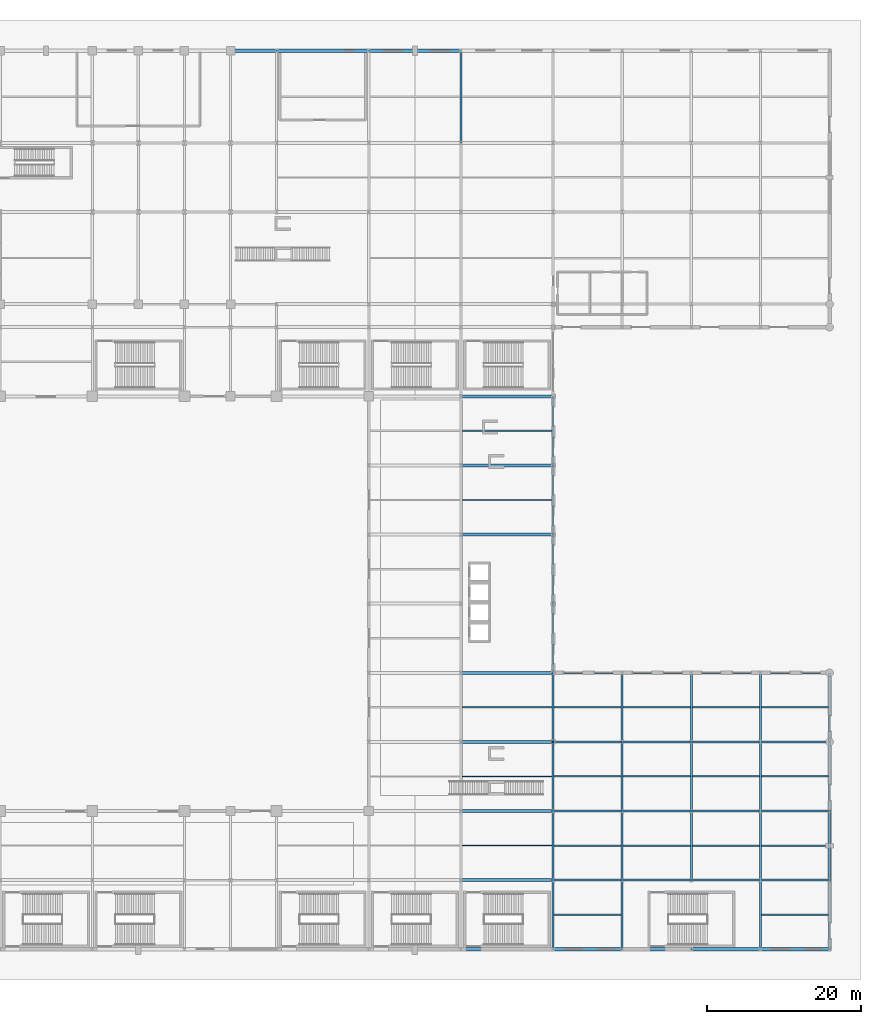
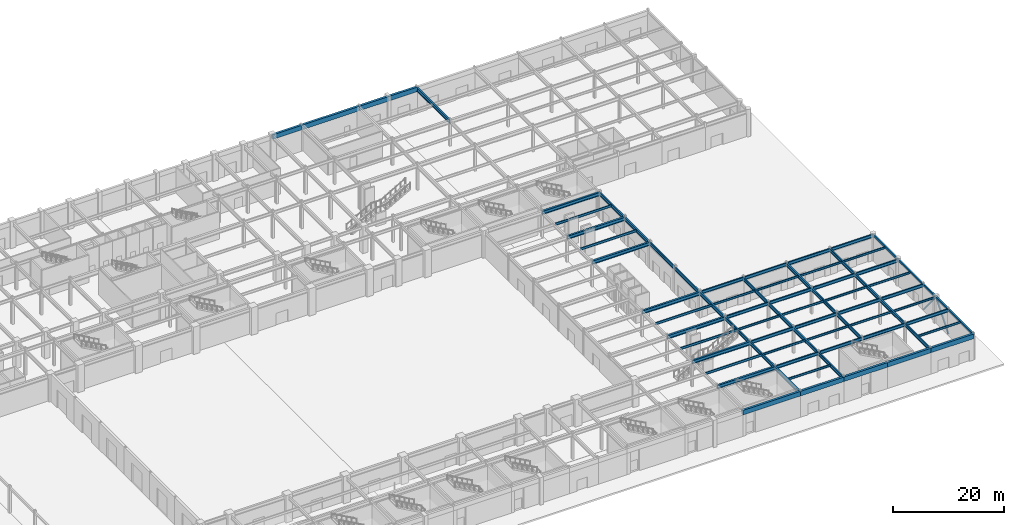
# One storey, part 16 of 44: 74 beams, 2 members.
"""IFC4 building model written with IfcOpenShell, lengths in metres."""

import ifcopenshell
import ifcopenshell.guid

model = None  # the IFC model being written
_history = None  # IfcOwnerHistory: only IFC2X3 demands one
_inside = {}  # id of a spatial element -> (the spatial element, [elements in it])
_under = {}  # id of a project, library or spatial element -> (it, [spatial elements below it])
_declared = {}  # id of a project -> (the project, [libraries it declares])
_typed = {}  # id of a type object -> (the type object, [elements of that type])
_made_of = {}  # id of a material, layer set ... -> (it, [elements and type objects made of it])


def new_model(schema):
    """Start an empty IFC model of exactly this schema.

    Asked for "IFC4X3", IfcOpenShell would pick the latest addendum, in which some entities
    have other attributes; the version numbers below select the first issue.
    IFC2X3 requires an IfcOwnerHistory on every rooted entity: one is made here for all.
    """
    global model, _history
    if schema == "IFC4X3":
        model = ifcopenshell.file(schema_version=(4, 3, 0, 0))
    else:
        model = ifcopenshell.file(schema=schema)
    _inside.clear()
    _under.clear()
    _declared.clear()
    _typed.clear()
    _made_of.clear()
    _history = None
    if model.schema == "IFC2X3":
        org = make("IfcOrganization", Name="unknown")
        user = make(
            "IfcPersonAndOrganization",
            ThePerson=make("IfcPerson", FamilyName="unknown"),
            TheOrganization=org,
        )
        app = make(
            "IfcApplication",
            ApplicationDeveloper=org,
            Version="unknown",
            ApplicationFullName="unknown",
            ApplicationIdentifier="unknown",
        )
        _history = make(
            "IfcOwnerHistory",
            OwningUser=user,
            OwningApplication=app,
            ChangeAction="ADDED",
            CreationDate=0,
        )
    return model


def make(cls, **values):
    """One entity of the class cls with the attributes given. An attribute that is None is left unset."""
    return model.create_entity(
        cls, **{name: value for name, value in values.items() if value is not None}
    )


def rooted(cls, **values):
    """An entity with a GlobalId (a new one), such as an element, a storey or a relation."""
    return make(cls, GlobalId=ifcopenshell.guid.new(), OwnerHistory=_history, **values)


def si_unit(unit_type, name, prefix=None):
    """IfcSIUnit, for example si_unit("LENGTHUNIT", "METRE", prefix="MILLI")."""
    return make("IfcSIUnit", UnitType=unit_type, Prefix=prefix, Name=name)


def assignment(units):
    """IfcUnitAssignment: the units of a project."""
    return None if units is None else make("IfcUnitAssignment", Units=units)


def point(xyz):
    """IfcCartesianPoint."""
    return None if xyz is None else make("IfcCartesianPoint", Coordinates=xyz)


def direction(xyz):
    """IfcDirection."""
    return None if xyz is None else make("IfcDirection", DirectionRatios=xyz)


def frame(location, z_axis=None, x_axis=None):
    """IfcAxis2Placement3D, a coordinate frame: its origin and axes. An axis left out is left unset."""
    return make(
        "IfcAxis2Placement3D",
        Location=point(location),
        Axis=direction(z_axis),
        RefDirection=direction(x_axis),
    )


def frame_2d(location, x_axis=None):
    """IfcAxis2Placement2D, a coordinate frame in the plane: its origin and x axis."""
    return make(
        "IfcAxis2Placement2D", Location=point(location), RefDirection=direction(x_axis)
    )


def origin():
    """The frame at (0, 0, 0) with its axes left unset."""
    return frame((0.0, 0.0, 0.0))


def origin_2d():
    """The frame at (0, 0) in the plane with its x axis left unset."""
    return frame_2d((0.0, 0.0))


def place(relative_to, where):
    """IfcLocalPlacement: puts the frame where relative to a parent placement (None: the world)."""
    return make(
        "IfcLocalPlacement", PlacementRelTo=relative_to, RelativePlacement=where
    )


def context(
    kind, dimensions, precision=None, world=None, true_north=None, identifier=None
):
    """IfcGeometricRepresentationContext, for example the 3D "Model" context."""
    return make(
        "IfcGeometricRepresentationContext",
        ContextIdentifier=identifier,
        ContextType=kind,
        CoordinateSpaceDimension=dimensions,
        Precision=precision,
        WorldCoordinateSystem=world,
        TrueNorth=true_north,
    )


def subcontext(parent, identifier, kind, view, scale=None):
    """IfcGeometricRepresentationSubContext, for example "Body" below "Model"."""
    return make(
        "IfcGeometricRepresentationSubContext",
        ContextIdentifier=identifier,
        ContextType=kind,
        ParentContext=parent,
        TargetScale=scale,
        TargetView=view,
    )


def project(units=None, contexts=None):
    """IfcProject with its units and contexts."""
    return rooted(
        "IfcProject",
        Name="project",
        RepresentationContexts=contexts,
        UnitsInContext=assignment(units),
    )


def spatial(cls, under=None, at=None, **own):
    """A site, building, storey or space (cls), placed at a placement, below another one or the project."""
    s = rooted(cls, ObjectPlacement=at, **own)
    if under is not None:
        _under.setdefault(under.id(), (under, []))[1].append(s)
    return s


def profile(cls, at=None, kind="AREA", **sizes):
    """A parametric profile (cls). Its sizes go by their IFC names, for example OverallWidth=200.0."""
    return make(cls, ProfileType=kind, Position=at, **sizes)


def rectangle(**sizes):
    """IfcRectangleProfileDef."""
    return profile("IfcRectangleProfileDef", **sizes)


def hollow_rectangle(**sizes):
    """IfcRectangleHollowProfileDef."""
    return profile("IfcRectangleHollowProfileDef", **sizes)


def i_section(**sizes):
    """IfcIShapeProfileDef."""
    return profile("IfcIShapeProfileDef", **sizes)


def extrude(swept, where, along, depth):
    """IfcExtrudedAreaSolid: the profile swept, set in the frame where, extruded along a direction by depth."""
    return make(
        "IfcExtrudedAreaSolid",
        SweptArea=swept,
        Position=where,
        ExtrudedDirection=direction(along),
        Depth=depth,
    )


def shape(context_of_items, identifier, shape_type, items):
    """IfcShapeRepresentation: the items that make up one representation, for example the "Body"."""
    return make(
        "IfcShapeRepresentation",
        ContextOfItems=context_of_items,
        RepresentationIdentifier=identifier,
        RepresentationType=shape_type,
        Items=items,
    )


def material(Name=None, Category=None):
    """IfcMaterial."""
    return make("IfcMaterial", Name=Name, Category=Category)


def material_profile(
    of_material, cross_section, Name=None, Category=None, Priority=None
):
    """IfcMaterialProfile: a cross section and its material."""
    return make(
        "IfcMaterialProfile",
        Name=Name,
        Material=of_material,
        Profile=cross_section,
        Priority=Priority,
        Category=Category,
    )


def profile_set(profiles, Name=None, composite=None):
    """IfcMaterialProfileSet."""
    return make(
        "IfcMaterialProfileSet",
        Name=Name,
        MaterialProfiles=profiles,
        CompositeProfile=composite,
    )


def made_of(thing, what):
    """Note that an element or type object is made of a material, layer set ...; save() writes the relation."""
    if what is not None:
        _made_of.setdefault(what.id(), (what, []))[1].append(thing)
    return thing


def type_object(cls, material=None, **own):
    """A type object (cls), such as IfcWallType, which elements share."""
    return made_of(rooted(cls, **own), material)


def element(
    cls,
    number,
    at=None,
    inside=None,
    cuts=None,
    type_object=None,
    material=None,
    context=None,
    identifier="Body",
    shape_type=None,
    held_by="IfcProductDefinitionShape",
    body=None,
    shapes=None,
    **own,
):
    """One element of the class cls, such as IfcWall. Its Tag is "e" and its number.

    at: its placement. inside: the storey or other place that contains it. cuts: it is an
    opening in that element (IfcRelVoidsElement). A single representation is given by context,
    identifier, shape_type and body (its items); several are given by shapes. held_by: the class
    of the entity that holds the representations. save() writes the other relations.
    """
    e = rooted(cls, Tag="e%d" % number, ObjectPlacement=at, **own)
    if body is not None:
        shapes = [shape(context, identifier, shape_type, body)]
    if shapes is not None:
        e.Representation = make(held_by, Representations=shapes)
    if inside is not None:
        _inside.setdefault(inside.id(), (inside, []))[1].append(e)
    if cuts is not None:
        rooted(
            "IfcRelVoidsElement", RelatingBuildingElement=cuts, RelatedOpeningElement=e
        )
    if type_object is not None:
        _typed.setdefault(type_object.id(), (type_object, []))[1].append(e)
    return made_of(e, material)


def aggregate(whole, parts):
    """IfcRelAggregates: a whole, such as a stair, and the parts it consists of."""
    return rooted("IfcRelAggregates", RelatingObject=whole, RelatedObjects=parts)


def save(model, path):
    """Write the relations noted so far, then the file.

    IfcRelAggregates (storeys below a building ...), IfcRelContainedInSpatialStructure (elements
    in a storey), IfcRelDefinesByType, IfcRelAssociatesMaterial and IfcRelDeclares: one each for
    every whole, place, type object, material and project.
    """
    for whole, parts in _under.values():
        aggregate(whole, parts)
    for where, things in _inside.values():
        rooted(
            "IfcRelContainedInSpatialStructure",
            RelatedElements=things,
            RelatingStructure=where,
        )
    for kind, things in _typed.values():
        rooted("IfcRelDefinesByType", RelatedObjects=things, RelatingType=kind)
    for what, things in _made_of.values():
        rooted("IfcRelAssociatesMaterial", RelatedObjects=things, RelatingMaterial=what)
    for by, libraries in _declared.values():
        rooted("IfcRelDeclares", RelatingContext=by, RelatedDefinitions=libraries)
    model.write(path)


model = new_model("IFC4")

# Units and contexts
model_context = context("Model", 3, precision=1e-05, world=origin(), true_north=direction((0.0, 1.0)))
body_context = subcontext(model_context, "Body", "Model", "MODEL_VIEW")
ifc_project = project(units=[si_unit("LENGTHUNIT", "METRE"), si_unit("AREAUNIT", "SQUARE_METRE"), si_unit("VOLUMEUNIT", "CUBIC_METRE"), si_unit("PLANEANGLEUNIT", "RADIAN"), si_unit("MASSUNIT", "GRAM", prefix="KILO")], contexts=[model_context])

# Site, building, storey
site_placement = place(None, origin())
site = spatial("IfcSite", under=ifc_project, at=site_placement, CompositionType="ELEMENT")
building_placement = place(site_placement, origin())
building = spatial("IfcBuilding", under=site, at=building_placement, Name="Kaldorvane Square Convention Centre", CompositionType="ELEMENT")
storey_placement = place(building_placement, origin())
storey = spatial("IfcBuildingStorey", under=building, at=storey_placement, Name="L00", CompositionType="ELEMENT", Elevation=0.0)

# Beams
ifc_material_1 = material(Name="Steel ASTM A992 Gr. 50", Category="steel")
ifc_material_profile_1 = material_profile(ifc_material_1, i_section(OverallWidth=0.25439453125, OverallDepth=0.6880950927734375, WebThickness=0.0131072998046875, FlangeThickness=0.0211029052734375, FilletRadius=0.01519775390625, at=origin_2d()), Name="W27X102")
ifc_profile_set_1 = profile_set([ifc_material_profile_1], Name="Steel ASTM A992 Gr. 50")
beam_type_1 = type_object("IfcBeamType", Name="BM-GR-W27X102", PredefinedType="BEAM", material=ifc_profile_set_1)
for number, where, z_axis, x_axis, name in (
    (1, (138.0, 9.0, 5.3318939208984375), (1.0, 0.0, 0.0), (0.0, 1.0, 0.0), "Primary Girder (L00)"),
    (2, (147.0, 9.0, 5.3318939208984375), (1.0, 0.0, 0.0), (0.0, 1.0, 0.0), "Primary Girder (L00)"),
    (3, (156.0, 9.0, 5.3318939208984375), (1.0, 0.0, 0.0), (0.0, 1.0, 0.0), "Primary Girder (L00)"),
    (4, (165.0, 9.0, 5.3318939208984375), (1.0, 0.0, 0.0), (0.0, 1.0, 0.0), "Primary Girder (L00)"),
    (5, (138.0, 18.0, 5.3318939208984375), (1.0, 0.0, 0.0), (0.0, 1.0, 0.0), "Primary Girder (L00)"),
    (6, (147.0, 18.0, 5.3318939208984375), (1.0, 0.0, 0.0), (0.0, 1.0, 0.0), "Primary Girder (L00)"),
    (7, (156.0, 18.0, 5.3318939208984375), (1.0, 0.0, 0.0), (0.0, 1.0, 0.0), "Primary Girder (L00)"),
    (8, (165.0, 18.0, 5.3318939208984375), (1.0, 0.0, 0.0), (0.0, 1.0, 0.0), "Primary Girder (L00)"),
    (9, (138.0, 27.0, 5.3318939208984375), (1.0, 0.0, 0.0), (0.0, 1.0, 0.0), "Primary Girder (L00)"),
    (10, (147.0, 27.0, 5.3318939208984375), (1.0, 0.0, 0.0), (0.0, 1.0, 0.0), "Primary Girder (L00)"),
    (11, (156.0, 27.0, 5.3318939208984375), (1.0, 0.0, 0.0), (0.0, 1.0, 0.0), "Primary Girder (L00)"),
    (12, (165.0, 27.0, 5.3318939208984375), (1.0, 0.0, 0.0), (0.0, 1.0, 0.0), "Primary Girder (L00)"),
    (13, (138.0, 36.0, 5.3318939208984375), (1.0, 0.0, 0.0), (0.0, 1.0, 0.0), "Primary Girder (L00)"),
    (14, (147.0, 36.0, 5.3318939208984375), (1.0, 0.0, 0.0), (0.0, 1.0, 0.0), "Primary Girder (L00)"),
    (15, (156.0, 36.0, 5.3318939208984375), (1.0, 0.0, 0.0), (0.0, 1.0, 0.0), "Primary Girder (L00)"),
    (16, (165.0, 36.0, 5.3318939208984375), (1.0, 0.0, 0.0), (0.0, 1.0, 0.0), "Primary Girder (L00)"),
):
    element("IfcBeam", number, at=place(storey_placement, frame(where, z_axis=z_axis, x_axis=x_axis)), inside=storey, type_object=beam_type_1, Name=name, PredefinedType="BEAM", context=body_context, shape_type="SweptSolid", body=[
        extrude(i_section(OverallWidth=0.25439453125, OverallDepth=0.6880950927734375, WebThickness=0.0131072998046875, FlangeThickness=0.0211029052734375, FilletRadius=0.01519775390625, at=origin_2d()), origin(), (0.0, 0.0, 1.0), 9.0),
    ])
ifc_material_profile_2 = material_profile(ifc_material_1, i_section(OverallWidth=0.2666015625, OverallDepth=0.762298583984375, WebThickness=0.014404296875, FlangeThickness=0.0216064453125, FilletRadius=0.0164947509765625, at=origin_2d()), Name="W30X116")
ifc_profile_set_2 = profile_set([ifc_material_profile_2], Name="Steel ASTM A992 Gr. 50")
beam_type_2 = type_object("IfcBeamType", Name="BM-GR-W30X116", PredefinedType="BEAM", material=ifc_profile_set_2)
for number, where, z_axis, x_axis, name in (
    (17, (138.0, 0.0, 5.2949066162109375), (0.0, 1.0, 0.0), (-1.0, 0.0, 0.0), "Transverse Girder (L00)"),
    (18, (138.0, 9.0, 5.2949066162109375), (0.0, 1.0, 0.0), (-1.0, 0.0, 0.0), "Transverse Girder (L00)"),
    (19, (138.0, 18.0, 5.2949066162109375), (0.0, 1.0, 0.0), (-1.0, 0.0, 0.0), "Transverse Girder (L00)"),
    (20, (138.0, 27.0, 5.2949066162109375), (0.0, 1.0, 0.0), (-1.0, 0.0, 0.0), "Transverse Girder (L00)"),
    (21, (138.0, 36.0, 5.2949066162109375), (0.0, 1.0, 0.0), (-1.0, 0.0, 0.0), "Transverse Girder (L00)"),
    (22, (138.0, 45.0, 5.2949066162109375), (0.0, 1.0, 0.0), (-1.0, 0.0, 0.0), "Transverse Girder (L00)"),
    (23, (138.0, 54.0, 5.2949066162109375), (0.0, 1.0, 0.0), (-1.0, 0.0, 0.0), "Transverse Girder (L00)"),
    (24, (138.0, 63.0, 5.2949066162109375), (0.0, 1.0, 0.0), (-1.0, 0.0, 0.0), "Transverse Girder (L00)"),
    (25, (147.0, 0.0, 5.2949066162109375), (0.0, 1.0, 0.0), (-1.0, 0.0, 0.0), "Transverse Girder (L00)"),
    (26, (147.0, 9.0, 5.2949066162109375), (0.0, 1.0, 0.0), (-1.0, 0.0, 0.0), "Transverse Girder (L00)"),
    (27, (147.0, 18.0, 5.2949066162109375), (0.0, 1.0, 0.0), (-1.0, 0.0, 0.0), "Transverse Girder (L00)"),
    (28, (147.0, 27.0, 5.2949066162109375), (0.0, 1.0, 0.0), (-1.0, 0.0, 0.0), "Transverse Girder (L00)"),
    (29, (156.0, 9.0, 5.2949066162109375), (0.0, 1.0, 0.0), (-1.0, 0.0, 0.0), "Transverse Girder (L00)"),
    (30, (156.0, 18.0, 5.2949066162109375), (0.0, 1.0, 0.0), (-1.0, 0.0, 0.0), "Transverse Girder (L00)"),
    (31, (156.0, 27.0, 5.2949066162109375), (0.0, 1.0, 0.0), (-1.0, 0.0, 0.0), "Transverse Girder (L00)"),
    (32, (165.0, 0.0, 5.2949066162109375), (0.0, 1.0, 0.0), (-1.0, 0.0, 0.0), "Transverse Girder (L00)"),
    (33, (165.0, 9.0, 5.2949066162109375), (0.0, 1.0, 0.0), (-1.0, 0.0, 0.0), "Transverse Girder (L00)"),
    (34, (165.0, 18.0, 5.2949066162109375), (0.0, 1.0, 0.0), (-1.0, 0.0, 0.0), "Transverse Girder (L00)"),
    (35, (165.0, 27.0, 5.2949066162109375), (0.0, 1.0, 0.0), (-1.0, 0.0, 0.0), "Transverse Girder (L00)"),
):
    element("IfcBeam", number, at=place(storey_placement, frame(where, z_axis=z_axis, x_axis=x_axis)), inside=storey, type_object=beam_type_2, Name=name, PredefinedType="BEAM", context=body_context, shape_type="SweptSolid", body=[
        extrude(i_section(OverallWidth=0.2666015625, OverallDepth=0.762298583984375, WebThickness=0.014404296875, FlangeThickness=0.0216064453125, FilletRadius=0.0164947509765625, at=origin_2d()), origin(), (0.0, 0.0, 1.0), 9.0),
    ])
ifc_material_profile_3 = material_profile(ifc_material_1, i_section(OverallWidth=0.380706787109375, OverallDepth=0.773193359375, WebThickness=0.0166015625, FlangeThickness=0.027099609375, FilletRadius=0.0164947509765625, at=origin_2d()), Name="W30X173")
ifc_profile_set_3 = profile_set([ifc_material_profile_3], Name="Steel ASTM A992 Gr. 50")
beam_type_3 = type_object("IfcBeamType", Name="BM-GR-W30X173", PredefinedType="BEAM", material=ifc_profile_set_3)
for number, where, z_axis, x_axis, name in (
    (36, (126.0, 9.0, 5.289398193359375), (1.0, 0.0, 0.0), (0.0, 1.0, 0.0), "Primary Girder (L00)"),
    (37, (126.0, 18.0, 5.289398193359375), (1.0, 0.0, 0.0), (0.0, 1.0, 0.0), "Primary Girder (L00)"),
    (38, (126.0, 27.0, 5.289398193359375), (1.0, 0.0, 0.0), (0.0, 1.0, 0.0), "Primary Girder (L00)"),
    (39, (126.0, 36.0, 5.289398193359375), (1.0, 0.0, 0.0), (0.0, 1.0, 0.0), "Primary Girder (L00)"),
    (40, (126.0, 54.0, 5.289398193359375), (1.0, 0.0, 0.0), (0.0, 1.0, 0.0), "Primary Girder (L00)"),
    (41, (126.0, 63.0, 5.289398193359375), (1.0, 0.0, 0.0), (0.0, 1.0, 0.0), "Primary Girder (L00)"),
    (42, (126.0, 72.0, 5.289398193359375), (1.0, 0.0, 0.0), (0.0, 1.0, 0.0), "Primary Girder (L00)"),
):
    element("IfcBeam", number, at=place(storey_placement, frame(where, z_axis=z_axis, x_axis=x_axis)), inside=storey, type_object=beam_type_3, Name=name, PredefinedType="BEAM", context=body_context, shape_type="SweptSolid", body=[
        extrude(i_section(OverallWidth=0.380706787109375, OverallDepth=0.773193359375, WebThickness=0.0166015625, FlangeThickness=0.027099609375, FilletRadius=0.0164947509765625, at=origin_2d()), origin(), (0.0, 0.0, 1.0), 12.0),
    ])
ifc_material_profile_4 = material_profile(ifc_material_1, i_section(OverallWidth=0.292999267578125, OverallDepth=0.845794677734375, WebThickness=0.0153961181640625, FlangeThickness=0.0243988037109375, FilletRadius=0.0178070068359375, at=origin_2d()), Name="W33X141")
ifc_profile_set_4 = profile_set([ifc_material_profile_4], Name="Steel ASTM A992 Gr. 50")
beam_type_4 = type_object("IfcBeamType", Name="BM-GR-W33X141", PredefinedType="BEAM", material=ifc_profile_set_4)
beam_1_placement = place(storey_placement, frame((126.0, 105.0, 5.2530975341796875), z_axis=(0.0, 1.0, 0.0), x_axis=(-1.0, 0.0, 0.0)))
element("IfcBeam", 43, at=beam_1_placement, inside=storey, type_object=beam_type_4, Name="Transverse Girder (L00)", PredefinedType="BEAM", context=body_context, shape_type="SweptSolid", body=[
    extrude(i_section(OverallWidth=0.292999267578125, OverallDepth=0.845794677734375, WebThickness=0.0153961181640625, FlangeThickness=0.0243988037109375, FilletRadius=0.0178070068359375, at=origin_2d()), origin(), (0.0, 0.0, 1.0), 12.0),
])
ifc_material_profile_5 = material_profile(ifc_material_1, i_section(OverallWidth=0.1912994384765625, OverallDepth=0.4600067138671875, WebThickness=0.0099029541015625, FlangeThickness=0.0160064697265625, FilletRadius=0.01019287109375, at=origin_2d()), Name="W18X55")
ifc_profile_set_5 = profile_set([ifc_material_profile_5], Name="Steel ASTM A992 Gr. 50")
beam_type_5 = type_object("IfcBeamType", Name="BM-JS-W18X55", PredefinedType="JOIST", material=ifc_profile_set_5)
beam_2_placement = place(storey_placement, frame((138.13330078125, 4.5, 5.4459991455078125), z_axis=(1.0, 0.0, 0.0), x_axis=(0.0, 1.0, 0.0)))
element("IfcBeam", 44, at=beam_2_placement, inside=storey, type_object=beam_type_5, Name="Secondary Floor Joist (L00)", PredefinedType="JOIST", context=body_context, shape_type="SweptSolid", body=[
    extrude(i_section(OverallWidth=0.1912994384765625, OverallDepth=0.4600067138671875, WebThickness=0.0099029541015625, FlangeThickness=0.0160064697265625, FilletRadius=0.01019287109375, at=origin_2d()), origin(), (0.0, 0.0, 1.0), 8.7333984375),
])
beam_3_placement = place(storey_placement, frame((165.13330078125, 4.5, 5.4459991455078125), z_axis=(1.0, 0.0, 0.0), x_axis=(0.0, 1.0, 0.0)))
element("IfcBeam", 45, at=beam_3_placement, inside=storey, type_object=beam_type_5, Name="Secondary Floor Joist (L00)", PredefinedType="JOIST", context=body_context, shape_type="SweptSolid", body=[
    extrude(i_section(OverallWidth=0.1912994384765625, OverallDepth=0.4600067138671875, WebThickness=0.0099029541015625, FlangeThickness=0.0160064697265625, FilletRadius=0.01019287109375, at=origin_2d()), origin(), (0.0, 0.0, 1.0), 8.71429443359375),
])
for number, where, z_axis, x_axis, name in (
    (46, (138.13330078125, 13.5, 5.4459991455078125), (1.0, 0.0, 0.0), (0.0, 1.0, 0.0), "Secondary Floor Joist (L00)"),
    (47, (147.13330078125, 13.5, 5.4459991455078125), (1.0, 0.0, 0.0), (0.0, 1.0, 0.0), "Secondary Floor Joist (L00)"),
    (48, (156.13330078125, 13.5, 5.4459991455078125), (1.0, 0.0, 0.0), (0.0, 1.0, 0.0), "Secondary Floor Joist (L00)"),
):
    element("IfcBeam", number, at=place(storey_placement, frame(where, z_axis=z_axis, x_axis=x_axis)), inside=storey, type_object=beam_type_5, Name=name, PredefinedType="JOIST", context=body_context, shape_type="SweptSolid", body=[
        extrude(i_section(OverallWidth=0.1912994384765625, OverallDepth=0.4600067138671875, WebThickness=0.0099029541015625, FlangeThickness=0.0160064697265625, FilletRadius=0.01019287109375, at=origin_2d()), origin(), (0.0, 0.0, 1.0), 8.7333984375),
    ])
beam_4_placement = place(storey_placement, frame((165.13330078125, 13.5, 5.4459991455078125), z_axis=(1.0, 0.0, 0.0), x_axis=(0.0, 1.0, 0.0)))
element("IfcBeam", 49, at=beam_4_placement, inside=storey, type_object=beam_type_5, Name="Secondary Floor Joist (L00)", PredefinedType="JOIST", context=body_context, shape_type="SweptSolid", body=[
    extrude(i_section(OverallWidth=0.1912994384765625, OverallDepth=0.4600067138671875, WebThickness=0.0099029541015625, FlangeThickness=0.0160064697265625, FilletRadius=0.01019287109375, at=origin_2d()), origin(), (0.0, 0.0, 1.0), 8.71429443359375),
])
for number, where, z_axis, x_axis, name in (
    (50, (138.13330078125, 22.5, 5.4459991455078125), (1.0, 0.0, 0.0), (0.0, 1.0, 0.0), "Secondary Floor Joist (L00)"),
    (51, (147.13330078125, 22.5, 5.4459991455078125), (1.0, 0.0, 0.0), (0.0, 1.0, 0.0), "Secondary Floor Joist (L00)"),
    (52, (156.13330078125, 22.5, 5.4459991455078125), (1.0, 0.0, 0.0), (0.0, 1.0, 0.0), "Secondary Floor Joist (L00)"),
):
    element("IfcBeam", number, at=place(storey_placement, frame(where, z_axis=z_axis, x_axis=x_axis)), inside=storey, type_object=beam_type_5, Name=name, PredefinedType="JOIST", context=body_context, shape_type="SweptSolid", body=[
        extrude(i_section(OverallWidth=0.1912994384765625, OverallDepth=0.4600067138671875, WebThickness=0.0099029541015625, FlangeThickness=0.0160064697265625, FilletRadius=0.01019287109375, at=origin_2d()), origin(), (0.0, 0.0, 1.0), 8.7333984375),
    ])
beam_5_placement = place(storey_placement, frame((165.13330078125, 22.5, 5.4459991455078125), z_axis=(1.0, 0.0, 0.0), x_axis=(0.0, 1.0, 0.0)))
element("IfcBeam", 53, at=beam_5_placement, inside=storey, type_object=beam_type_5, Name="Secondary Floor Joist (L00)", PredefinedType="JOIST", context=body_context, shape_type="SweptSolid", body=[
    extrude(i_section(OverallWidth=0.1912994384765625, OverallDepth=0.4600067138671875, WebThickness=0.0099029541015625, FlangeThickness=0.0160064697265625, FilletRadius=0.01019287109375, at=origin_2d()), origin(), (0.0, 0.0, 1.0), 8.71429443359375),
])
for number, where, z_axis, x_axis, name in (
    (54, (138.13330078125, 31.5, 5.4459991455078125), (1.0, 0.0, 0.0), (0.0, 1.0, 0.0), "Secondary Floor Joist (L00)"),
    (55, (147.13330078125, 31.5, 5.4459991455078125), (1.0, 0.0, 0.0), (0.0, 1.0, 0.0), "Secondary Floor Joist (L00)"),
    (56, (156.13330078125, 31.5, 5.4459991455078125), (1.0, 0.0, 0.0), (0.0, 1.0, 0.0), "Secondary Floor Joist (L00)"),
):
    element("IfcBeam", number, at=place(storey_placement, frame(where, z_axis=z_axis, x_axis=x_axis)), inside=storey, type_object=beam_type_5, Name=name, PredefinedType="JOIST", context=body_context, shape_type="SweptSolid", body=[
        extrude(i_section(OverallWidth=0.1912994384765625, OverallDepth=0.4600067138671875, WebThickness=0.0099029541015625, FlangeThickness=0.0160064697265625, FilletRadius=0.01019287109375, at=origin_2d()), origin(), (0.0, 0.0, 1.0), 8.7333984375),
    ])
beam_6_placement = place(storey_placement, frame((165.13330078125, 31.5, 5.4459991455078125), z_axis=(1.0, 0.0, 0.0), x_axis=(0.0, 1.0, 0.0)))
element("IfcBeam", 57, at=beam_6_placement, inside=storey, type_object=beam_type_5, Name="Secondary Floor Joist (L00)", PredefinedType="JOIST", context=body_context, shape_type="SweptSolid", body=[
    extrude(i_section(OverallWidth=0.1912994384765625, OverallDepth=0.4600067138671875, WebThickness=0.0099029541015625, FlangeThickness=0.0160064697265625, FilletRadius=0.01019287109375, at=origin_2d()), origin(), (0.0, 0.0, 1.0), 8.71429443359375),
])
ifc_material_profile_6 = material_profile(ifc_material_1, i_section(OverallWidth=0.1658935546875, OverallDepth=0.5290985107421875, WebThickness=0.00970458984375, FlangeThickness=0.0135955810546875, FilletRadius=0.0126953125, at=origin_2d()), Name="W21X50")
ifc_profile_set_6 = profile_set([ifc_material_profile_6], Name="Steel ASTM A992 Gr. 50")
beam_type_6 = type_object("IfcBeamType", Name="BM-JS-W21X50", PredefinedType="JOIST", material=ifc_profile_set_6)
for number, where, z_axis, x_axis, name in (
    (58, (126.13330078125, 13.5, 5.4114990234375), (1.0, 0.0, 0.0), (0.0, 1.0, 0.0), "Secondary Floor Joist (L00)"),
    (59, (126.13330078125, 22.5, 5.4114990234375), (1.0, 0.0, 0.0), (0.0, 1.0, 0.0), "Secondary Floor Joist (L00)"),
    (60, (126.13330078125, 31.5, 5.4114990234375), (1.0, 0.0, 0.0), (0.0, 1.0, 0.0), "Secondary Floor Joist (L00)"),
    (61, (126.13330078125, 58.5, 5.4114990234375), (1.0, 0.0, 0.0), (0.0, 1.0, 0.0), "Secondary Floor Joist (L00)"),
    (62, (126.13330078125, 67.5, 5.4114990234375), (1.0, 0.0, 0.0), (0.0, 1.0, 0.0), "Secondary Floor Joist (L00)"),
):
    element("IfcBeam", number, at=place(storey_placement, frame(where, z_axis=z_axis, x_axis=x_axis)), inside=storey, type_object=beam_type_6, Name=name, PredefinedType="JOIST", context=body_context, shape_type="SweptSolid", body=[
        extrude(i_section(OverallWidth=0.1658935546875, OverallDepth=0.5290985107421875, WebThickness=0.00970458984375, FlangeThickness=0.0135955810546875, FilletRadius=0.0126953125, at=origin_2d()), origin(), (0.0, 0.0, 1.0), 11.7333984375),
    ])
ifc_material_2 = material(Name="Steel ASTM A500 Gr. C", Category="steel")
ifc_material_profile_7 = material_profile(ifc_material_2, hollow_rectangle(XDim=0.3047943115234375, YDim=0.406402587890625, WallThickness=0.0117950439453125, at=origin_2d()), Name="HSS16X12X1/2")
ifc_profile_set_7 = profile_set([ifc_material_profile_7], Name="Steel ASTM A500 Gr. C")
beam_type_7 = type_object("IfcBeamType", Name="BM-SP-HSS16", PredefinedType="SPANDREL", material=ifc_profile_set_7)
for number, where, z_axis, x_axis, name in (
    (63, (174.0, 0.0, 5.4727935791015625), (0.0, 1.0, 0.0), (-1.0, 0.0, 0.0), "End Spandrel (L00)"),
    (64, (174.0, 9.0, 5.4727935791015625), (0.0, 1.0, 0.0), (-1.0, 0.0, 0.0), "End Spandrel (L00)"),
    (65, (174.0, 18.0, 5.4727935791015625), (0.0, 1.0, 0.0), (-1.0, 0.0, 0.0), "End Spandrel (L00)"),
    (66, (174.0, 27.0, 5.4727935791015625), (0.0, 1.0, 0.0), (-1.0, 0.0, 0.0), "End Spandrel (L00)"),
):
    element("IfcBeam", number, at=place(storey_placement, frame(where, z_axis=z_axis, x_axis=x_axis)), inside=storey, type_object=beam_type_7, Name=name, PredefinedType="SPANDREL", context=body_context, shape_type="SweptSolid", body=[
        extrude(hollow_rectangle(XDim=0.3047943115234375, YDim=0.406402587890625, WallThickness=0.0117950439453125, at=origin_2d()), origin(), (0.0, 0.0, 1.0), 9.0),
    ])
ifc_material_3 = material(Name="Concrete f'c = 42 MPa (Normalweight)", Category="concrete")
ifc_material_profile_8 = material_profile(ifc_material_3, rectangle(XDim=0.4499969482421875, YDim=1.0, at=origin_2d()), Name="RCSP1000X450")
ifc_profile_set_8 = profile_set([ifc_material_profile_8], Name="Concrete f'c = 42 MPa (Normalweight)")
beam_type_8 = type_object("IfcBeamType", Name="BM-SP-RC1000", PredefinedType="SPANDREL", material=ifc_profile_set_8)
beam_7_placement = place(storey_placement, frame((126.0, 0.0, 5.175994873046875), z_axis=(1.0, 0.0, 0.0), x_axis=(0.0, 1.0, 0.0)))
element("IfcBeam", 67, at=beam_7_placement, inside=storey, type_object=beam_type_8, Name="Perimeter Spandrel (L00)", PredefinedType="SPANDREL", context=body_context, shape_type="SweptSolid", body=[
    extrude(rectangle(XDim=0.4499969482421875, YDim=1.0, at=origin_2d()), origin(), (0.0, 0.0, 1.0), 12.0),
])
for number, where, z_axis, x_axis, name in (
    (68, (138.0, 0.0, 5.175994873046875), (1.0, 0.0, 0.0), (0.0, 1.0, 0.0), "Perimeter Spandrel (L00)"),
    (69, (147.0, 0.0, 5.175994873046875), (1.0, 0.0, 0.0), (0.0, 1.0, 0.0), "Perimeter Spandrel (L00)"),
    (70, (156.0, 0.0, 5.175994873046875), (1.0, 0.0, 0.0), (0.0, 1.0, 0.0), "Perimeter Spandrel (L00)"),
    (71, (165.0, 0.0, 5.175994873046875), (1.0, 0.0, 0.0), (0.0, 1.0, 0.0), "Perimeter Spandrel (L00)"),
):
    element("IfcBeam", number, at=place(storey_placement, frame(where, z_axis=z_axis, x_axis=x_axis)), inside=storey, type_object=beam_type_8, Name=name, PredefinedType="SPANDREL", context=body_context, shape_type="SweptSolid", body=[
        extrude(rectangle(XDim=0.4499969482421875, YDim=1.0, at=origin_2d()), origin(), (0.0, 0.0, 1.0), 9.0),
    ])
beam_8_placement = place(storey_placement, frame((96.0, 117.0, 5.175994873046875), z_axis=(1.0, 0.0, 0.0), x_axis=(0.0, 1.0, 0.0)))
element("IfcBeam", 72, at=beam_8_placement, inside=storey, type_object=beam_type_8, Name="Perimeter Spandrel (L00)", PredefinedType="SPANDREL", context=body_context, shape_type="SweptSolid", body=[
    extrude(rectangle(XDim=0.4499969482421875, YDim=1.0, at=origin_2d()), origin(), (0.0, 0.0, 1.0), 6.0),
])
for number, where, z_axis, x_axis, name in (
    (73, (102.0, 117.0, 5.175994873046875), (1.0, 0.0, 0.0), (0.0, 1.0, 0.0), "Perimeter Spandrel (L00)"),
    (74, (114.0, 117.0, 5.175994873046875), (1.0, 0.0, 0.0), (0.0, 1.0, 0.0), "Perimeter Spandrel (L00)"),
):
    element("IfcBeam", number, at=place(storey_placement, frame(where, z_axis=z_axis, x_axis=x_axis)), inside=storey, type_object=beam_type_8, Name=name, PredefinedType="SPANDREL", context=body_context, shape_type="SweptSolid", body=[
        extrude(rectangle(XDim=0.4499969482421875, YDim=1.0, at=origin_2d()), origin(), (0.0, 0.0, 1.0), 12.0),
    ])

# Members
ifc_material_profile_9 = material_profile(ifc_material_2, hollow_rectangle(XDim=0.253997802734375, YDim=0.253997802734375, WallThickness=0.0117950439453125, at=origin_2d()), Name="HSS10X10X1/2")
ifc_profile_set_9 = profile_set([ifc_material_profile_9], Name="Steel ASTM A500 Gr. C")
member_type = type_object("IfcMemberType", Name="MB-BR-HSS10", PredefinedType="BRACE", material=ifc_profile_set_9)
for number, where, z_axis, x_axis, name in (
    (75, (174.0, 9.0, 0.0), (0.0, 0.635117820374, 0.772415273181), (-1.0, 0.0, 0.0), "Seismic Chevron Brace X174-B1A (L00)"),
    (76, (174.0, 18.0, 0.0), (0.0, -0.635117820374, 0.772415273181), (1.0, 0.0, 0.0), "Seismic Chevron Brace X174-B1B (L00)"),
):
    element("IfcMember", number, at=place(storey_placement, frame(where, z_axis=z_axis, x_axis=x_axis)), inside=storey, type_object=member_type, Name=name, PredefinedType="BRACE", context=body_context, shape_type="SweptSolid", body=[
        extrude(hollow_rectangle(XDim=0.253997802734375, YDim=0.253997802734375, WallThickness=0.0117950439453125, at=origin_2d()), origin(), (0.0, 0.0, 1.0), 7.085296630859375),
    ])

save(model, "model.ifc")
